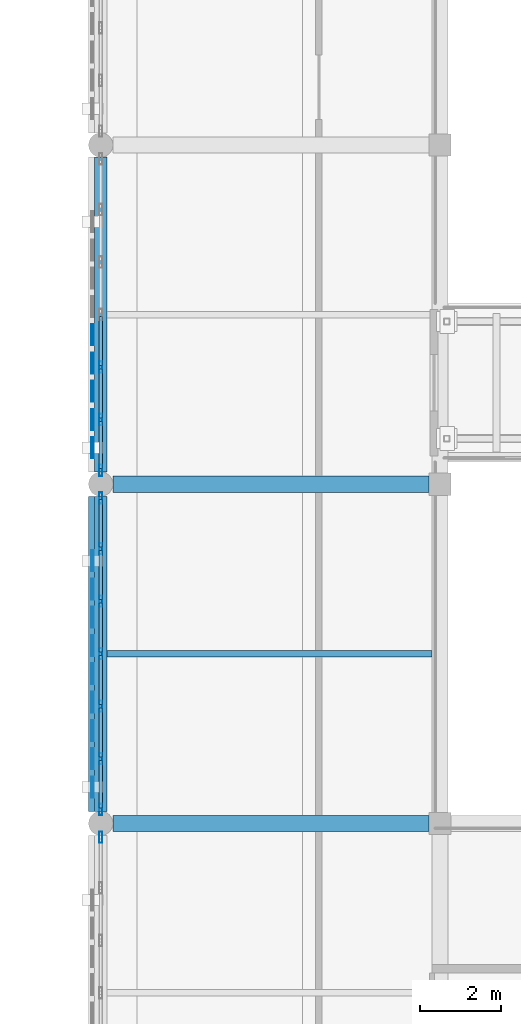
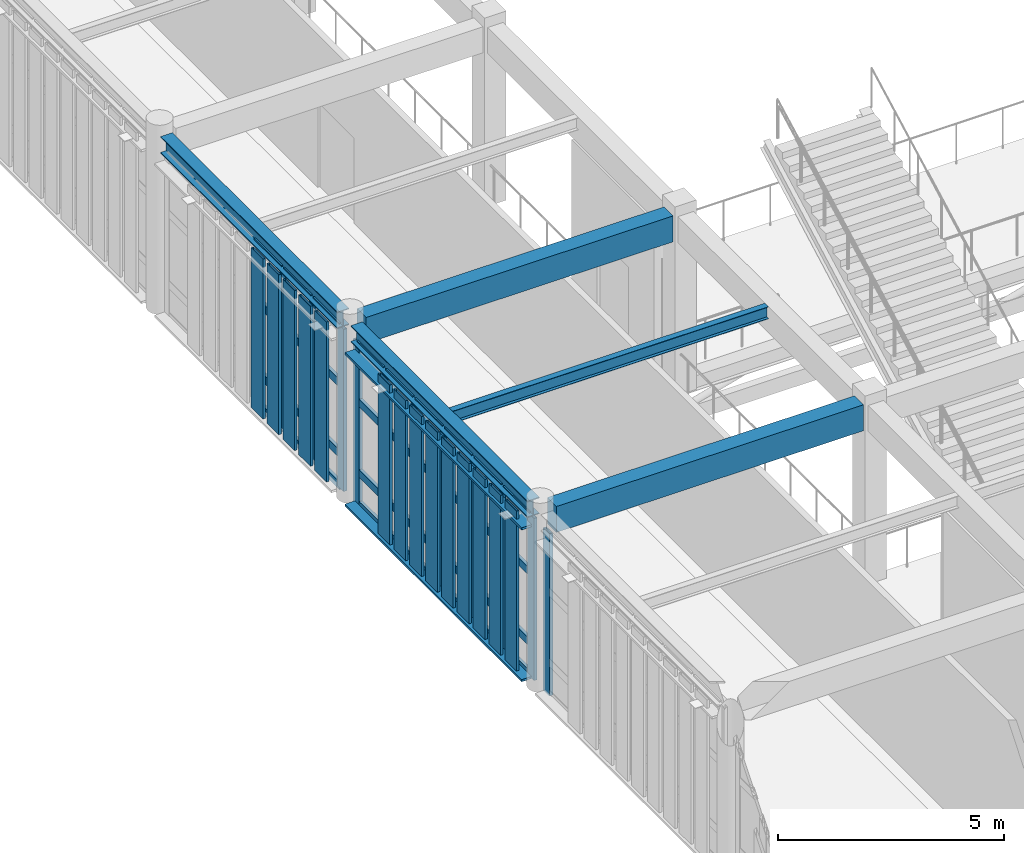
# One storey, part 17 of 93: 63 members, 5 beams, 3 elements without a shape of their own.
"""IFC4 building model written with IfcOpenShell, lengths in metres."""

from ifc_helpers import new_model, si_unit, direction, frame, origin, origin_2d, place, context, subcontext, project, spatial, rectangle, hollow_rectangle, i_section, extrude, material, layer, layer_set, material_profile, profile_set, type_object, element, aggregate, save


model = new_model("IFC4")

# Units and contexts
model_context = context("Model", 3, precision=1e-05, world=origin(), true_north=direction((0.0, 1.0)))
body_context = subcontext(model_context, "Body", "Model", "MODEL_VIEW")
ifc_project = project(units=[si_unit("LENGTHUNIT", "METRE"), si_unit("AREAUNIT", "SQUARE_METRE"), si_unit("VOLUMEUNIT", "CUBIC_METRE"), si_unit("PLANEANGLEUNIT", "RADIAN"), si_unit("MASSUNIT", "GRAM", prefix="KILO")], contexts=[model_context])

# Site, building, storey
site_placement = place(None, origin())
site = spatial("IfcSite", under=ifc_project, at=site_placement, CompositionType="ELEMENT")
building_placement = place(site_placement, origin())
building = spatial("IfcBuilding", under=site, at=building_placement, Name="Krzemoval Escarpment Law Courts", CompositionType="ELEMENT")
storey_placement = place(building_placement, frame((0.0, 0.0, 10.199951171875)))
storey = spatial("IfcBuildingStorey", under=building, at=storey_placement, Name="L02", CompositionType="ELEMENT", Elevation=10.199951171875)

# Beams
ifc_material_1 = material(Name="Concrete C40/50", Category="concrete")
ifc_material_profile_1 = material_profile(ifc_material_1, rectangle(XDim=0.39990234375, YDim=0.699951171875, at=origin_2d()), Name="RCB 400x700")
ifc_profile_set_1 = profile_set([ifc_material_profile_1], Name="Concrete C40/50")
beam_type_1 = type_object("IfcBeamType", Name="BM-RC-400x700", PredefinedType="BEAM", material=ifc_profile_set_1)
for number, where, z_axis, x_axis, name in (
    (1, (8.699951171875, 49.199951171875, 4.469970703125), (1.0, 0.0, 0.0), (0.0, 1.0, 0.0), "Beam FG-L02-1788"),
    (2, (8.699951171875, 57.60009765625, 4.469970703125), (1.0, 0.0, 0.0), (0.0, 1.0, 0.0), "Beam FG-L02-1792"),
):
    element("IfcBeam", number, at=place(storey_placement, frame(where, z_axis=z_axis, x_axis=x_axis)), inside=storey, type_object=beam_type_1, Name=name, PredefinedType="BEAM", context=body_context, shape_type="SweptSolid", body=[
        extrude(rectangle(XDim=0.39990234375, YDim=0.699951171875, at=origin_2d()), origin(), (0.0, 0.0, 1.0), 7.824951171875),
    ])

# Curtain wall, member
ifc_material_2 = material(Name="Aluminium 6063-T6", Category="aluminium")
ifc_layer = layer(ifc_material_2, 0.280029296875)
ifc_layer_set = layer_set([ifc_layer], Name="Aluminium 6063-T6")
curtain_wall_type = type_object("IfcCurtainWallType", Name="CW-HALL-5100", PredefinedType="USERDEFINED", material=ifc_layer_set)
curtain_wall_1_placement = place(storey_placement, origin())
curtain_wall_1 = element("IfcCurtainWall", 3, at=curtain_wall_1_placement, inside=storey, type_object=curtain_wall_type, Name="Unitised Curtain Wall FCW-L02-065", ObjectType="UNITISED_CURTAIN_WALL", PredefinedType="USERDEFINED")
ifc_material_3 = material(Name="Aluminium 6063-T6", Category="aluminium")
ifc_material_profile_2 = material_profile(ifc_material_3, hollow_rectangle(XDim=0.0849609375, YDim=0.280029296875, WallThickness=0.005615234375, at=origin_2d()), Name="ALU M85x280")
ifc_profile_set_2 = profile_set([ifc_material_profile_2], Name="Aluminium 6063-T6")
member_type_1 = type_object("IfcMemberType", Name="CWM-85x280", PredefinedType="MULLION", material=ifc_profile_set_2)
member_1_placement = place(storey_placement, frame((8.39990234375, 48.857421875, 0.0), z_axis=(0.0, 0.0, 1.0), x_axis=(-1.0, 0.0, 0.0)))
member_1 = element("IfcMember", 4, at=member_1_placement, type_object=member_type_1, Name="FCW-L02-065 mullion 7", PredefinedType="MULLION", context=body_context, shape_type="SweptSolid", body=[
    extrude(hollow_rectangle(XDim=0.0849609375, YDim=0.280029296875, WallThickness=0.005615234375, at=origin_2d()), origin(), (0.0, 0.0, 1.0), 4.3701171875),
])
aggregate(curtain_wall_1, [member_1])

# Curtain wall, members
curtain_wall_2_placement = place(storey_placement, origin())
curtain_wall_2 = element("IfcCurtainWall", 5, at=curtain_wall_2_placement, inside=storey, type_object=curtain_wall_type, Name="Unitised Curtain Wall FCW-L02-066", ObjectType="UNITISED_CURTAIN_WALL", PredefinedType="USERDEFINED")
member_2_placement = place(storey_placement, frame((8.39990234375, 49.54248046875, 0.0), z_axis=(0.0, 0.0, 1.0), x_axis=(-1.0, 0.0, 0.0)))
member_2 = element("IfcMember", 6, at=member_2_placement, type_object=member_type_1, Name="FCW-L02-066 mullion 1", PredefinedType="MULLION", context=body_context, shape_type="SweptSolid", body=[
    extrude(hollow_rectangle(XDim=0.0849609375, YDim=0.280029296875, WallThickness=0.005615234375, at=origin_2d()), origin(), (0.0, 0.0, 1.0), 4.3701171875),
])
member_3_placement = place(storey_placement, frame((8.39990234375, 50.800048828125, 0.0), z_axis=(0.0, 0.0, 1.0), x_axis=(-1.0, 0.0, 0.0)))
member_3 = element("IfcMember", 7, at=member_3_placement, type_object=member_type_1, Name="FCW-L02-066 mullion 2", PredefinedType="MULLION", context=body_context, shape_type="SweptSolid", body=[
    extrude(hollow_rectangle(XDim=0.0849609375, YDim=0.280029296875, WallThickness=0.005615234375, at=origin_2d()), origin(), (0.0, 0.0, 1.0), 4.3701171875),
])
member_4_placement = place(storey_placement, frame((8.39990234375, 52.10009765625, 0.0), z_axis=(0.0, 0.0, 1.0), x_axis=(-1.0, 0.0, 0.0)))
member_4 = element("IfcMember", 8, at=member_4_placement, type_object=member_type_1, Name="FCW-L02-066 mullion 3", PredefinedType="MULLION", context=body_context, shape_type="SweptSolid", body=[
    extrude(hollow_rectangle(XDim=0.0849609375, YDim=0.280029296875, WallThickness=0.005615234375, at=origin_2d()), origin(), (0.0, 0.0, 1.0), 4.3701171875),
])
member_5_placement = place(storey_placement, frame((8.39990234375, 53.39990234375, 0.0), z_axis=(0.0, 0.0, 1.0), x_axis=(-1.0, 0.0, 0.0)))
member_5 = element("IfcMember", 9, at=member_5_placement, type_object=member_type_1, Name="FCW-L02-066 mullion 4", PredefinedType="MULLION", context=body_context, shape_type="SweptSolid", body=[
    extrude(hollow_rectangle(XDim=0.0849609375, YDim=0.280029296875, WallThickness=0.005615234375, at=origin_2d()), origin(), (0.0, 0.0, 1.0), 4.3701171875),
])
member_6_placement = place(storey_placement, frame((8.39990234375, 54.699951171875, 0.0), z_axis=(0.0, 0.0, 1.0), x_axis=(-1.0, 0.0, 0.0)))
member_6 = element("IfcMember", 10, at=member_6_placement, type_object=member_type_1, Name="FCW-L02-066 mullion 5", PredefinedType="MULLION", context=body_context, shape_type="SweptSolid", body=[
    extrude(hollow_rectangle(XDim=0.0849609375, YDim=0.280029296875, WallThickness=0.005615234375, at=origin_2d()), origin(), (0.0, 0.0, 1.0), 4.3701171875),
])
member_7_placement = place(storey_placement, frame((8.39990234375, 56.0, 0.0), z_axis=(0.0, 0.0, 1.0), x_axis=(-1.0, 0.0, 0.0)))
member_7 = element("IfcMember", 11, at=member_7_placement, type_object=member_type_1, Name="FCW-L02-066 mullion 6", PredefinedType="MULLION", context=body_context, shape_type="SweptSolid", body=[
    extrude(hollow_rectangle(XDim=0.0849609375, YDim=0.280029296875, WallThickness=0.005615234375, at=origin_2d()), origin(), (0.0, 0.0, 1.0), 4.3701171875),
])
member_8_placement = place(storey_placement, frame((8.39990234375, 57.257568359375, 0.0), z_axis=(0.0, 0.0, 1.0), x_axis=(-1.0, 0.0, 0.0)))
member_8 = element("IfcMember", 12, at=member_8_placement, type_object=member_type_1, Name="FCW-L02-066 mullion 7", PredefinedType="MULLION", context=body_context, shape_type="SweptSolid", body=[
    extrude(hollow_rectangle(XDim=0.0849609375, YDim=0.280029296875, WallThickness=0.005615234375, at=origin_2d()), origin(), (0.0, 0.0, 1.0), 4.3701171875),
])

curtain_wall_3_placement = place(storey_placement, origin())
curtain_wall_3 = element("IfcCurtainWall", 13, at=curtain_wall_3_placement, inside=storey, type_object=curtain_wall_type, Name="Unitised Curtain Wall FCW-L02-067", ObjectType="UNITISED_CURTAIN_WALL", PredefinedType="USERDEFINED")
member_9_placement = place(storey_placement, frame((8.39990234375, 57.9423828125, 0.0), z_axis=(0.0, 0.0, 1.0), x_axis=(-1.0, 0.0, 0.0)))
member_9 = element("IfcMember", 14, at=member_9_placement, type_object=member_type_1, Name="FCW-L02-067 mullion 1", PredefinedType="MULLION", context=body_context, shape_type="SweptSolid", body=[
    extrude(hollow_rectangle(XDim=0.0849609375, YDim=0.280029296875, WallThickness=0.005615234375, at=origin_2d()), origin(), (0.0, 0.0, 1.0), 4.3701171875),
])
member_10_placement = place(storey_placement, frame((8.39990234375, 59.199951171875, 0.0), z_axis=(0.0, 0.0, 1.0), x_axis=(-1.0, 0.0, 0.0)))
member_10 = element("IfcMember", 15, at=member_10_placement, type_object=member_type_1, Name="FCW-L02-067 mullion 2", PredefinedType="MULLION", context=body_context, shape_type="SweptSolid", body=[
    extrude(hollow_rectangle(XDim=0.0849609375, YDim=0.280029296875, WallThickness=0.005615234375, at=origin_2d()), origin(), (0.0, 0.0, 1.0), 4.3701171875),
])
member_11_placement = place(storey_placement, frame((8.39990234375, 60.5, 0.0), z_axis=(0.0, 0.0, 1.0), x_axis=(-1.0, 0.0, 0.0)))
member_11 = element("IfcMember", 16, at=member_11_placement, type_object=member_type_1, Name="FCW-L02-067 mullion 3", PredefinedType="MULLION", context=body_context, shape_type="SweptSolid", body=[
    extrude(hollow_rectangle(XDim=0.0849609375, YDim=0.280029296875, WallThickness=0.005615234375, at=origin_2d()), origin(), (0.0, 0.0, 1.0), 4.3701171875),
])

# Member
ifc_material_4 = material(Name="Aluminium 6063-T6", Category="aluminium")
ifc_material_profile_3 = material_profile(ifc_material_4, hollow_rectangle(XDim=0.0849609375, YDim=0.2099609375, WallThickness=0.005615234375, at=origin_2d()), Name="ALU T85x210")
ifc_profile_set_3 = profile_set([ifc_material_profile_3], Name="Aluminium 6063-T6")
member_type_2 = type_object("IfcMemberType", Name="CWT-85x210", PredefinedType="USERDEFINED", material=ifc_profile_set_3)
member_12_placement = place(storey_placement, frame((8.39990234375, 49.5849609375, 0.04248046875), z_axis=(0.0, 1.0, 0.0), x_axis=(-1.0, 0.0, 0.0)))
member_12 = element("IfcMember", 17, at=member_12_placement, type_object=member_type_2, Name="FCW-L02-066 transom 1.1", ObjectType="TRANSOM", PredefinedType="USERDEFINED", context=body_context, shape_type="SweptSolid", body=[
    extrude(hollow_rectangle(XDim=0.0849609375, YDim=0.2099609375, WallThickness=0.005615234375, at=origin_2d()), origin(), (0.0, 0.0, 1.0), 1.172607421875),
])

member_13_placement = place(storey_placement, frame((8.39990234375, 49.5849609375, 0.900146484375), z_axis=(0.0, 1.0, 0.0), x_axis=(-1.0, 0.0, 0.0)))
member_13 = element("IfcMember", 18, at=member_13_placement, type_object=member_type_2, Name="FCW-L02-066 transom 1.2", ObjectType="TRANSOM", PredefinedType="USERDEFINED", context=body_context, shape_type="SweptSolid", body=[
    extrude(hollow_rectangle(XDim=0.0849609375, YDim=0.2099609375, WallThickness=0.005615234375, at=origin_2d()), origin(), (0.0, 0.0, 1.0), 1.172607421875),
])

member_14_placement = place(storey_placement, frame((8.39990234375, 49.5849609375, 2.800048828125), z_axis=(0.0, 1.0, 0.0), x_axis=(-1.0, 0.0, 0.0)))
member_14 = element("IfcMember", 19, at=member_14_placement, type_object=member_type_2, Name="FCW-L02-066 transom 1.3", ObjectType="TRANSOM", PredefinedType="USERDEFINED", context=body_context, shape_type="SweptSolid", body=[
    extrude(hollow_rectangle(XDim=0.0849609375, YDim=0.2099609375, WallThickness=0.005615234375, at=origin_2d()), origin(), (0.0, 0.0, 1.0), 1.172607421875),
])

member_15_placement = place(storey_placement, frame((8.39990234375, 49.5849609375, 4.32763671875), z_axis=(0.0, 1.0, 0.0), x_axis=(-1.0, 0.0, 0.0)))
member_15 = element("IfcMember", 20, at=member_15_placement, type_object=member_type_2, Name="FCW-L02-066 transom 1.4", ObjectType="TRANSOM", PredefinedType="USERDEFINED", context=body_context, shape_type="SweptSolid", body=[
    extrude(hollow_rectangle(XDim=0.0849609375, YDim=0.2099609375, WallThickness=0.005615234375, at=origin_2d()), origin(), (0.0, 0.0, 1.0), 1.172607421875),
])

member_16_placement = place(storey_placement, frame((8.39990234375, 50.842529296875, 0.04248046875), z_axis=(0.0, 1.0, 0.0), x_axis=(-1.0, 0.0, 0.0)))
member_16 = element("IfcMember", 21, at=member_16_placement, type_object=member_type_2, Name="FCW-L02-066 transom 2.1", ObjectType="TRANSOM", PredefinedType="USERDEFINED", context=body_context, shape_type="SweptSolid", body=[
    extrude(hollow_rectangle(XDim=0.0849609375, YDim=0.2099609375, WallThickness=0.005615234375, at=origin_2d()), origin(), (0.0, 0.0, 1.0), 1.215087890625),
])

member_17_placement = place(storey_placement, frame((8.39990234375, 50.842529296875, 0.900146484375), z_axis=(0.0, 1.0, 0.0), x_axis=(-1.0, 0.0, 0.0)))
member_17 = element("IfcMember", 22, at=member_17_placement, type_object=member_type_2, Name="FCW-L02-066 transom 2.2", ObjectType="TRANSOM", PredefinedType="USERDEFINED", context=body_context, shape_type="SweptSolid", body=[
    extrude(hollow_rectangle(XDim=0.0849609375, YDim=0.2099609375, WallThickness=0.005615234375, at=origin_2d()), origin(), (0.0, 0.0, 1.0), 1.215087890625),
])

member_18_placement = place(storey_placement, frame((8.39990234375, 50.842529296875, 2.800048828125), z_axis=(0.0, 1.0, 0.0), x_axis=(-1.0, 0.0, 0.0)))
member_18 = element("IfcMember", 23, at=member_18_placement, type_object=member_type_2, Name="FCW-L02-066 transom 2.3", ObjectType="TRANSOM", PredefinedType="USERDEFINED", context=body_context, shape_type="SweptSolid", body=[
    extrude(hollow_rectangle(XDim=0.0849609375, YDim=0.2099609375, WallThickness=0.005615234375, at=origin_2d()), origin(), (0.0, 0.0, 1.0), 1.215087890625),
])

member_19_placement = place(storey_placement, frame((8.39990234375, 50.842529296875, 4.32763671875), z_axis=(0.0, 1.0, 0.0), x_axis=(-1.0, 0.0, 0.0)))
member_19 = element("IfcMember", 24, at=member_19_placement, type_object=member_type_2, Name="FCW-L02-066 transom 2.4", ObjectType="TRANSOM", PredefinedType="USERDEFINED", context=body_context, shape_type="SweptSolid", body=[
    extrude(hollow_rectangle(XDim=0.0849609375, YDim=0.2099609375, WallThickness=0.005615234375, at=origin_2d()), origin(), (0.0, 0.0, 1.0), 1.215087890625),
])

member_20_placement = place(storey_placement, frame((8.39990234375, 52.142578125, 0.04248046875), z_axis=(0.0, 1.0, 0.0), x_axis=(-1.0, 0.0, 0.0)))
member_20 = element("IfcMember", 25, at=member_20_placement, type_object=member_type_2, Name="FCW-L02-066 transom 3.1", ObjectType="TRANSOM", PredefinedType="USERDEFINED", context=body_context, shape_type="SweptSolid", body=[
    extrude(hollow_rectangle(XDim=0.0849609375, YDim=0.2099609375, WallThickness=0.005615234375, at=origin_2d()), origin(), (0.0, 0.0, 1.0), 1.21484375),
])

member_21_placement = place(storey_placement, frame((8.39990234375, 52.142578125, 0.900146484375), z_axis=(0.0, 1.0, 0.0), x_axis=(-1.0, 0.0, 0.0)))
member_21 = element("IfcMember", 26, at=member_21_placement, type_object=member_type_2, Name="FCW-L02-066 transom 3.2", ObjectType="TRANSOM", PredefinedType="USERDEFINED", context=body_context, shape_type="SweptSolid", body=[
    extrude(hollow_rectangle(XDim=0.0849609375, YDim=0.2099609375, WallThickness=0.005615234375, at=origin_2d()), origin(), (0.0, 0.0, 1.0), 1.21484375),
])

member_22_placement = place(storey_placement, frame((8.39990234375, 52.142578125, 2.800048828125), z_axis=(0.0, 1.0, 0.0), x_axis=(-1.0, 0.0, 0.0)))
member_22 = element("IfcMember", 27, at=member_22_placement, type_object=member_type_2, Name="FCW-L02-066 transom 3.3", ObjectType="TRANSOM", PredefinedType="USERDEFINED", context=body_context, shape_type="SweptSolid", body=[
    extrude(hollow_rectangle(XDim=0.0849609375, YDim=0.2099609375, WallThickness=0.005615234375, at=origin_2d()), origin(), (0.0, 0.0, 1.0), 1.21484375),
])

member_23_placement = place(storey_placement, frame((8.39990234375, 52.142578125, 4.32763671875), z_axis=(0.0, 1.0, 0.0), x_axis=(-1.0, 0.0, 0.0)))
member_23 = element("IfcMember", 28, at=member_23_placement, type_object=member_type_2, Name="FCW-L02-066 transom 3.4", ObjectType="TRANSOM", PredefinedType="USERDEFINED", context=body_context, shape_type="SweptSolid", body=[
    extrude(hollow_rectangle(XDim=0.0849609375, YDim=0.2099609375, WallThickness=0.005615234375, at=origin_2d()), origin(), (0.0, 0.0, 1.0), 1.21484375),
])

member_24_placement = place(storey_placement, frame((8.39990234375, 53.4423828125, 0.04248046875), z_axis=(0.0, 1.0, 0.0), x_axis=(-1.0, 0.0, 0.0)))
member_24 = element("IfcMember", 29, at=member_24_placement, type_object=member_type_2, Name="FCW-L02-066 transom 4.1", ObjectType="TRANSOM", PredefinedType="USERDEFINED", context=body_context, shape_type="SweptSolid", body=[
    extrude(hollow_rectangle(XDim=0.0849609375, YDim=0.2099609375, WallThickness=0.005615234375, at=origin_2d()), origin(), (0.0, 0.0, 1.0), 1.215087890625),
])

member_25_placement = place(storey_placement, frame((8.39990234375, 53.4423828125, 0.900146484375), z_axis=(0.0, 1.0, 0.0), x_axis=(-1.0, 0.0, 0.0)))
member_25 = element("IfcMember", 30, at=member_25_placement, type_object=member_type_2, Name="FCW-L02-066 transom 4.2", ObjectType="TRANSOM", PredefinedType="USERDEFINED", context=body_context, shape_type="SweptSolid", body=[
    extrude(hollow_rectangle(XDim=0.0849609375, YDim=0.2099609375, WallThickness=0.005615234375, at=origin_2d()), origin(), (0.0, 0.0, 1.0), 1.215087890625),
])

member_26_placement = place(storey_placement, frame((8.39990234375, 53.4423828125, 2.800048828125), z_axis=(0.0, 1.0, 0.0), x_axis=(-1.0, 0.0, 0.0)))
member_26 = element("IfcMember", 31, at=member_26_placement, type_object=member_type_2, Name="FCW-L02-066 transom 4.3", ObjectType="TRANSOM", PredefinedType="USERDEFINED", context=body_context, shape_type="SweptSolid", body=[
    extrude(hollow_rectangle(XDim=0.0849609375, YDim=0.2099609375, WallThickness=0.005615234375, at=origin_2d()), origin(), (0.0, 0.0, 1.0), 1.215087890625),
])

member_27_placement = place(storey_placement, frame((8.39990234375, 53.4423828125, 4.32763671875), z_axis=(0.0, 1.0, 0.0), x_axis=(-1.0, 0.0, 0.0)))
member_27 = element("IfcMember", 32, at=member_27_placement, type_object=member_type_2, Name="FCW-L02-066 transom 4.4", ObjectType="TRANSOM", PredefinedType="USERDEFINED", context=body_context, shape_type="SweptSolid", body=[
    extrude(hollow_rectangle(XDim=0.0849609375, YDim=0.2099609375, WallThickness=0.005615234375, at=origin_2d()), origin(), (0.0, 0.0, 1.0), 1.215087890625),
])

member_28_placement = place(storey_placement, frame((8.39990234375, 54.742431640625, 0.04248046875), z_axis=(0.0, 1.0, 0.0), x_axis=(-1.0, 0.0, 0.0)))
member_28 = element("IfcMember", 33, at=member_28_placement, type_object=member_type_2, Name="FCW-L02-066 transom 5.1", ObjectType="TRANSOM", PredefinedType="USERDEFINED", context=body_context, shape_type="SweptSolid", body=[
    extrude(hollow_rectangle(XDim=0.0849609375, YDim=0.2099609375, WallThickness=0.005615234375, at=origin_2d()), origin(), (0.0, 0.0, 1.0), 1.215087890625),
])

member_29_placement = place(storey_placement, frame((8.39990234375, 54.742431640625, 0.900146484375), z_axis=(0.0, 1.0, 0.0), x_axis=(-1.0, 0.0, 0.0)))
member_29 = element("IfcMember", 34, at=member_29_placement, type_object=member_type_2, Name="FCW-L02-066 transom 5.2", ObjectType="TRANSOM", PredefinedType="USERDEFINED", context=body_context, shape_type="SweptSolid", body=[
    extrude(hollow_rectangle(XDim=0.0849609375, YDim=0.2099609375, WallThickness=0.005615234375, at=origin_2d()), origin(), (0.0, 0.0, 1.0), 1.215087890625),
])

member_30_placement = place(storey_placement, frame((8.39990234375, 54.742431640625, 2.800048828125), z_axis=(0.0, 1.0, 0.0), x_axis=(-1.0, 0.0, 0.0)))
member_30 = element("IfcMember", 35, at=member_30_placement, type_object=member_type_2, Name="FCW-L02-066 transom 5.3", ObjectType="TRANSOM", PredefinedType="USERDEFINED", context=body_context, shape_type="SweptSolid", body=[
    extrude(hollow_rectangle(XDim=0.0849609375, YDim=0.2099609375, WallThickness=0.005615234375, at=origin_2d()), origin(), (0.0, 0.0, 1.0), 1.215087890625),
])

member_31_placement = place(storey_placement, frame((8.39990234375, 54.742431640625, 4.32763671875), z_axis=(0.0, 1.0, 0.0), x_axis=(-1.0, 0.0, 0.0)))
member_31 = element("IfcMember", 36, at=member_31_placement, type_object=member_type_2, Name="FCW-L02-066 transom 5.4", ObjectType="TRANSOM", PredefinedType="USERDEFINED", context=body_context, shape_type="SweptSolid", body=[
    extrude(hollow_rectangle(XDim=0.0849609375, YDim=0.2099609375, WallThickness=0.005615234375, at=origin_2d()), origin(), (0.0, 0.0, 1.0), 1.215087890625),
])

member_32_placement = place(storey_placement, frame((8.39990234375, 56.04248046875, 0.04248046875), z_axis=(0.0, 1.0, 0.0), x_axis=(-1.0, 0.0, 0.0)))
member_32 = element("IfcMember", 37, at=member_32_placement, type_object=member_type_2, Name="FCW-L02-066 transom 6.1", ObjectType="TRANSOM", PredefinedType="USERDEFINED", context=body_context, shape_type="SweptSolid", body=[
    extrude(hollow_rectangle(XDim=0.0849609375, YDim=0.2099609375, WallThickness=0.005615234375, at=origin_2d()), origin(), (0.0, 0.0, 1.0), 1.172607421875),
])

member_33_placement = place(storey_placement, frame((8.39990234375, 56.04248046875, 0.900146484375), z_axis=(0.0, 1.0, 0.0), x_axis=(-1.0, 0.0, 0.0)))
member_33 = element("IfcMember", 38, at=member_33_placement, type_object=member_type_2, Name="FCW-L02-066 transom 6.2", ObjectType="TRANSOM", PredefinedType="USERDEFINED", context=body_context, shape_type="SweptSolid", body=[
    extrude(hollow_rectangle(XDim=0.0849609375, YDim=0.2099609375, WallThickness=0.005615234375, at=origin_2d()), origin(), (0.0, 0.0, 1.0), 1.172607421875),
])

member_34_placement = place(storey_placement, frame((8.39990234375, 56.04248046875, 2.800048828125), z_axis=(0.0, 1.0, 0.0), x_axis=(-1.0, 0.0, 0.0)))
member_34 = element("IfcMember", 39, at=member_34_placement, type_object=member_type_2, Name="FCW-L02-066 transom 6.3", ObjectType="TRANSOM", PredefinedType="USERDEFINED", context=body_context, shape_type="SweptSolid", body=[
    extrude(hollow_rectangle(XDim=0.0849609375, YDim=0.2099609375, WallThickness=0.005615234375, at=origin_2d()), origin(), (0.0, 0.0, 1.0), 1.172607421875),
])

member_35_placement = place(storey_placement, frame((8.39990234375, 56.04248046875, 4.32763671875), z_axis=(0.0, 1.0, 0.0), x_axis=(-1.0, 0.0, 0.0)))
member_35 = element("IfcMember", 40, at=member_35_placement, type_object=member_type_2, Name="FCW-L02-066 transom 6.4", ObjectType="TRANSOM", PredefinedType="USERDEFINED", context=body_context, shape_type="SweptSolid", body=[
    extrude(hollow_rectangle(XDim=0.0849609375, YDim=0.2099609375, WallThickness=0.005615234375, at=origin_2d()), origin(), (0.0, 0.0, 1.0), 1.172607421875),
])

aggregate(curtain_wall_2, [member_2, member_3, member_4, member_5, member_6, member_7, member_8, member_12, member_13, member_14, member_15, member_16, member_17, member_18, member_19, member_20, member_21, member_22, member_23, member_24, member_25, member_26, member_27, member_28, member_29, member_30, member_31, member_32, member_33, member_34, member_35])

member_36_placement = place(storey_placement, frame((8.39990234375, 57.985107421875, 0.04248046875), z_axis=(0.0, 1.0, 0.0), x_axis=(-1.0, 0.0, 0.0)))
member_36 = element("IfcMember", 41, at=member_36_placement, type_object=member_type_2, Name="FCW-L02-067 transom 1.1", ObjectType="TRANSOM", PredefinedType="USERDEFINED", context=body_context, shape_type="SweptSolid", body=[
    extrude(hollow_rectangle(XDim=0.0849609375, YDim=0.2099609375, WallThickness=0.005615234375, at=origin_2d()), origin(), (0.0, 0.0, 1.0), 1.17236328125),
])

member_37_placement = place(storey_placement, frame((8.39990234375, 57.985107421875, 0.900146484375), z_axis=(0.0, 1.0, 0.0), x_axis=(-1.0, 0.0, 0.0)))
member_37 = element("IfcMember", 42, at=member_37_placement, type_object=member_type_2, Name="FCW-L02-067 transom 1.2", ObjectType="TRANSOM", PredefinedType="USERDEFINED", context=body_context, shape_type="SweptSolid", body=[
    extrude(hollow_rectangle(XDim=0.0849609375, YDim=0.2099609375, WallThickness=0.005615234375, at=origin_2d()), origin(), (0.0, 0.0, 1.0), 1.17236328125),
])

member_38_placement = place(storey_placement, frame((8.39990234375, 57.985107421875, 2.800048828125), z_axis=(0.0, 1.0, 0.0), x_axis=(-1.0, 0.0, 0.0)))
member_38 = element("IfcMember", 43, at=member_38_placement, type_object=member_type_2, Name="FCW-L02-067 transom 1.3", ObjectType="TRANSOM", PredefinedType="USERDEFINED", context=body_context, shape_type="SweptSolid", body=[
    extrude(hollow_rectangle(XDim=0.0849609375, YDim=0.2099609375, WallThickness=0.005615234375, at=origin_2d()), origin(), (0.0, 0.0, 1.0), 1.17236328125),
])

member_39_placement = place(storey_placement, frame((8.39990234375, 57.985107421875, 4.32763671875), z_axis=(0.0, 1.0, 0.0), x_axis=(-1.0, 0.0, 0.0)))
member_39 = element("IfcMember", 44, at=member_39_placement, type_object=member_type_2, Name="FCW-L02-067 transom 1.4", ObjectType="TRANSOM", PredefinedType="USERDEFINED", context=body_context, shape_type="SweptSolid", body=[
    extrude(hollow_rectangle(XDim=0.0849609375, YDim=0.2099609375, WallThickness=0.005615234375, at=origin_2d()), origin(), (0.0, 0.0, 1.0), 1.17236328125),
])

member_40_placement = place(storey_placement, frame((8.39990234375, 59.242431640625, 0.04248046875), z_axis=(0.0, 1.0, 0.0), x_axis=(-1.0, 0.0, 0.0)))
member_40 = element("IfcMember", 45, at=member_40_placement, type_object=member_type_2, Name="FCW-L02-067 transom 2.1", ObjectType="TRANSOM", PredefinedType="USERDEFINED", context=body_context, shape_type="SweptSolid", body=[
    extrude(hollow_rectangle(XDim=0.0849609375, YDim=0.2099609375, WallThickness=0.005615234375, at=origin_2d()), origin(), (0.0, 0.0, 1.0), 1.215087890625),
])

member_41_placement = place(storey_placement, frame((8.39990234375, 59.242431640625, 0.900146484375), z_axis=(0.0, 1.0, 0.0), x_axis=(-1.0, 0.0, 0.0)))
member_41 = element("IfcMember", 46, at=member_41_placement, type_object=member_type_2, Name="FCW-L02-067 transom 2.2", ObjectType="TRANSOM", PredefinedType="USERDEFINED", context=body_context, shape_type="SweptSolid", body=[
    extrude(hollow_rectangle(XDim=0.0849609375, YDim=0.2099609375, WallThickness=0.005615234375, at=origin_2d()), origin(), (0.0, 0.0, 1.0), 1.215087890625),
])

member_42_placement = place(storey_placement, frame((8.39990234375, 59.242431640625, 2.800048828125), z_axis=(0.0, 1.0, 0.0), x_axis=(-1.0, 0.0, 0.0)))
member_42 = element("IfcMember", 47, at=member_42_placement, type_object=member_type_2, Name="FCW-L02-067 transom 2.3", ObjectType="TRANSOM", PredefinedType="USERDEFINED", context=body_context, shape_type="SweptSolid", body=[
    extrude(hollow_rectangle(XDim=0.0849609375, YDim=0.2099609375, WallThickness=0.005615234375, at=origin_2d()), origin(), (0.0, 0.0, 1.0), 1.215087890625),
])

member_43_placement = place(storey_placement, frame((8.39990234375, 59.242431640625, 4.32763671875), z_axis=(0.0, 1.0, 0.0), x_axis=(-1.0, 0.0, 0.0)))
member_43 = element("IfcMember", 48, at=member_43_placement, type_object=member_type_2, Name="FCW-L02-067 transom 2.4", ObjectType="TRANSOM", PredefinedType="USERDEFINED", context=body_context, shape_type="SweptSolid", body=[
    extrude(hollow_rectangle(XDim=0.0849609375, YDim=0.2099609375, WallThickness=0.005615234375, at=origin_2d()), origin(), (0.0, 0.0, 1.0), 1.215087890625),
])

member_44_placement = place(storey_placement, frame((8.39990234375, 60.54248046875, 0.04248046875), z_axis=(0.0, 1.0, 0.0), x_axis=(-1.0, 0.0, 0.0)))
member_44 = element("IfcMember", 49, at=member_44_placement, type_object=member_type_2, Name="FCW-L02-067 transom 3.1", ObjectType="TRANSOM", PredefinedType="USERDEFINED", context=body_context, shape_type="SweptSolid", body=[
    extrude(hollow_rectangle(XDim=0.0849609375, YDim=0.2099609375, WallThickness=0.005615234375, at=origin_2d()), origin(), (0.0, 0.0, 1.0), 1.215087890625),
])

member_45_placement = place(storey_placement, frame((8.39990234375, 60.54248046875, 0.900146484375), z_axis=(0.0, 1.0, 0.0), x_axis=(-1.0, 0.0, 0.0)))
member_45 = element("IfcMember", 50, at=member_45_placement, type_object=member_type_2, Name="FCW-L02-067 transom 3.2", ObjectType="TRANSOM", PredefinedType="USERDEFINED", context=body_context, shape_type="SweptSolid", body=[
    extrude(hollow_rectangle(XDim=0.0849609375, YDim=0.2099609375, WallThickness=0.005615234375, at=origin_2d()), origin(), (0.0, 0.0, 1.0), 1.215087890625),
])

member_46_placement = place(storey_placement, frame((8.39990234375, 60.54248046875, 2.800048828125), z_axis=(0.0, 1.0, 0.0), x_axis=(-1.0, 0.0, 0.0)))
member_46 = element("IfcMember", 51, at=member_46_placement, type_object=member_type_2, Name="FCW-L02-067 transom 3.3", ObjectType="TRANSOM", PredefinedType="USERDEFINED", context=body_context, shape_type="SweptSolid", body=[
    extrude(hollow_rectangle(XDim=0.0849609375, YDim=0.2099609375, WallThickness=0.005615234375, at=origin_2d()), origin(), (0.0, 0.0, 1.0), 1.215087890625),
])

member_47_placement = place(storey_placement, frame((8.39990234375, 60.54248046875, 4.32763671875), z_axis=(0.0, 1.0, 0.0), x_axis=(-1.0, 0.0, 0.0)))
member_47 = element("IfcMember", 52, at=member_47_placement, type_object=member_type_2, Name="FCW-L02-067 transom 3.4", ObjectType="TRANSOM", PredefinedType="USERDEFINED", context=body_context, shape_type="SweptSolid", body=[
    extrude(hollow_rectangle(XDim=0.0849609375, YDim=0.2099609375, WallThickness=0.005615234375, at=origin_2d()), origin(), (0.0, 0.0, 1.0), 1.215087890625),
])

aggregate(curtain_wall_3, [member_9, member_10, member_11, member_36, member_37, member_38, member_39, member_40, member_41, member_42, member_43, member_44, member_45, member_46, member_47])

# Beam
ifc_material_5 = material(Name="Steel S355", Category="steel")
ifc_material_profile_4 = material_profile(ifc_material_5, i_section(OverallWidth=0.159912109375, OverallDepth=0.330078125, WebThickness=0.007568359375, FlangeThickness=0.011474609375, at=origin_2d()), Name="IPE 330")
ifc_profile_set_4 = profile_set([ifc_material_profile_4], Name="Steel S355")
beam_type_2 = type_object("IfcBeamType", Name="JST-S355-IPE330", PredefinedType="JOIST", material=ifc_profile_set_4)
beam_placement = place(storey_placement, frame((8.550048828125, 53.39990234375, 4.655029296875), z_axis=(1.0, 0.0, 0.0), x_axis=(0.0, 1.0, 0.0)))
element("IfcBeam", 53, at=beam_placement, inside=storey, type_object=beam_type_2, Name="Secondary Joist FJ-L02-2013", PredefinedType="JOIST", context=body_context, shape_type="SweptSolid", body=[
    extrude(i_section(OverallWidth=0.159912109375, OverallDepth=0.330078125, WebThickness=0.007568359375, FlangeThickness=0.011474609375, at=origin_2d()), origin(), (0.0, 0.0, 1.0), 8.050048828125),
])

# Members
ifc_material_6 = material(Name="Anodised Aluminium Alloy 6063-T6", Category="aluminium")
ifc_material_profile_5 = material_profile(ifc_material_6, hollow_rectangle(XDim=0.06005859375, YDim=0.320068359375, WallThickness=0.00390625, at=origin_2d()), Name="ALU LVR 60x320")
ifc_profile_set_5 = profile_set([ifc_material_profile_5], Name="Anodised Aluminium Alloy 6063-T6")
member_type_3 = type_object("IfcMemberType", Name="LVR-ALU-320", PredefinedType="USERDEFINED", material=ifc_profile_set_5)
for number, where, z_axis, x_axis, name in (
    (54, (8.260009765625, 49.5, 0.030029296875), (0.0, 1.0, 0.0), (0.0, 0.0, 1.0), "Sunshade Support Rail FSR-L02-0385"),
    (55, (8.260009765625, 49.5, 4.1201171875), (0.0, 1.0, 0.0), (0.0, 0.0, 1.0), "Sunshade Support Rail FSR-L02-0386"),
):
    element("IfcMember", number, at=place(storey_placement, frame(where, z_axis=z_axis, x_axis=x_axis)), inside=storey, type_object=member_type_3, Name=name, ObjectType="SUNSHADE_LOUVRE", PredefinedType="USERDEFINED", context=body_context, shape_type="SweptSolid", body=[
        extrude(hollow_rectangle(XDim=0.06005859375, YDim=0.320068359375, WallThickness=0.00390625, at=origin_2d()), origin(), (0.0, 0.0, 1.0), 7.800048828125),
    ])
ifc_material_7 = material(Name="Anodised Aluminium Alloy 6063-T6", Category="aluminium")
ifc_material_profile_6 = material_profile(ifc_material_7, hollow_rectangle(XDim=0.06494140625, YDim=0.52001953125, WallThickness=0.00439453125, at=origin_2d()), Name="ALU LVR 65x520")
ifc_profile_set_6 = profile_set([ifc_material_profile_6], Name="Anodised Aluminium Alloy 6063-T6")
member_type_4 = type_object("IfcMemberType", Name="LVR-ALU-520", PredefinedType="USERDEFINED", material=ifc_profile_set_6)
for number, where, z_axis, x_axis, name in (
    (56, (8.199951171875, 50.10009765625, 0.06005859375), (0.0, 0.0, 1.0), (1.0, 0.0, 0.0), "Sunshade Louvre Fin FLV-L02-0387"),
    (57, (8.199951171875, 50.800048828125, 0.06005859375), (0.0, 0.0, 1.0), (1.0, 0.0, 0.0), "Sunshade Louvre Fin FLV-L02-0388"),
    (58, (8.199951171875, 51.5, 0.06005859375), (0.0, 0.0, 1.0), (1.0, 0.0, 0.0), "Sunshade Louvre Fin FLV-L02-0389"),
    (59, (8.199951171875, 52.199951171875, 0.06005859375), (0.0, 0.0, 1.0), (1.0, 0.0, 0.0), "Sunshade Louvre Fin FLV-L02-0390"),
    (60, (8.199951171875, 52.89990234375, 0.06005859375), (0.0, 0.0, 1.0), (1.0, 0.0, 0.0), "Sunshade Louvre Fin FLV-L02-0391"),
    (61, (8.199951171875, 53.60009765625, 0.06005859375), (0.0, 0.0, 1.0), (1.0, 0.0, 0.0), "Sunshade Louvre Fin FLV-L02-0392"),
    (62, (8.199951171875, 54.300048828125, 0.06005859375), (0.0, 0.0, 1.0), (1.0, 0.0, 0.0), "Sunshade Louvre Fin FLV-L02-0393"),
    (63, (8.199951171875, 55.0, 0.06005859375), (0.0, 0.0, 1.0), (1.0, 0.0, 0.0), "Sunshade Louvre Fin FLV-L02-0394"),
    (64, (8.199951171875, 55.699951171875, 0.06005859375), (0.0, 0.0, 1.0), (1.0, 0.0, 0.0), "Sunshade Louvre Fin FLV-L02-0395"),
    (65, (8.199951171875, 58.5, 0.06005859375), (0.0, 0.0, 1.0), (1.0, 0.0, 0.0), "Sunshade Louvre Fin FLV-L02-0398"),
    (66, (8.199951171875, 59.199951171875, 0.06005859375), (0.0, 0.0, 1.0), (1.0, 0.0, 0.0), "Sunshade Louvre Fin FLV-L02-0399"),
    (67, (8.199951171875, 59.89990234375, 0.06005859375), (0.0, 0.0, 1.0), (1.0, 0.0, 0.0), "Sunshade Louvre Fin FLV-L02-0400"),
    (68, (8.199951171875, 60.60009765625, 0.06005859375), (0.0, 0.0, 1.0), (1.0, 0.0, 0.0), "Sunshade Louvre Fin FLV-L02-0401"),
    (69, (8.199951171875, 61.300048828125, 0.06005859375), (0.0, 0.0, 1.0), (1.0, 0.0, 0.0), "Sunshade Louvre Fin FLV-L02-0402"),
):
    element("IfcMember", number, at=place(storey_placement, frame(where, z_axis=z_axis, x_axis=x_axis)), inside=storey, type_object=member_type_4, Name=name, ObjectType="SUNSHADE_LOUVRE", PredefinedType="USERDEFINED", context=body_context, shape_type="SweptSolid", body=[
        extrude(hollow_rectangle(XDim=0.06494140625, YDim=0.52001953125, WallThickness=0.00439453125, at=origin_2d()), origin(), (0.0, 0.0, 1.0), 4.31005859375),
    ])

# Beams
ifc_material_8 = material(Name="Steel S355", Category="steel")
ifc_material_profile_7 = material_profile(ifc_material_8, i_section(OverallWidth=0.300048828125, OverallDepth=0.449951171875, WebThickness=0.013916015625, FlangeThickness=0.02587890625, at=origin_2d()), Name="HEB 450")
ifc_profile_set_7 = profile_set([ifc_material_profile_7], Name="Steel S355")
beam_type_3 = type_object("IfcBeamType", Name="SPN-S355-HEB450", PredefinedType="SPANDREL", material=ifc_profile_set_7)
for number, where, z_axis, x_axis, name in (
    (70, (8.39990234375, 49.5, 4.594970703125), (0.0, 1.0, 0.0), (-1.0, 0.0, 0.0), "Beam FG-L02-1862"),
    (71, (8.39990234375, 57.89990234375, 4.594970703125), (0.0, 1.0, 0.0), (-1.0, 0.0, 0.0), "Beam FG-L02-1863"),
):
    element("IfcBeam", number, at=place(storey_placement, frame(where, z_axis=z_axis, x_axis=x_axis)), inside=storey, type_object=beam_type_3, Name=name, PredefinedType="SPANDREL", context=body_context, shape_type="SweptSolid", body=[
        extrude(i_section(OverallWidth=0.300048828125, OverallDepth=0.449951171875, WebThickness=0.013916015625, FlangeThickness=0.02587890625, at=origin_2d()), origin(), (0.0, 0.0, 1.0), 7.800048828125),
    ])

save(model, "model.ifc")
